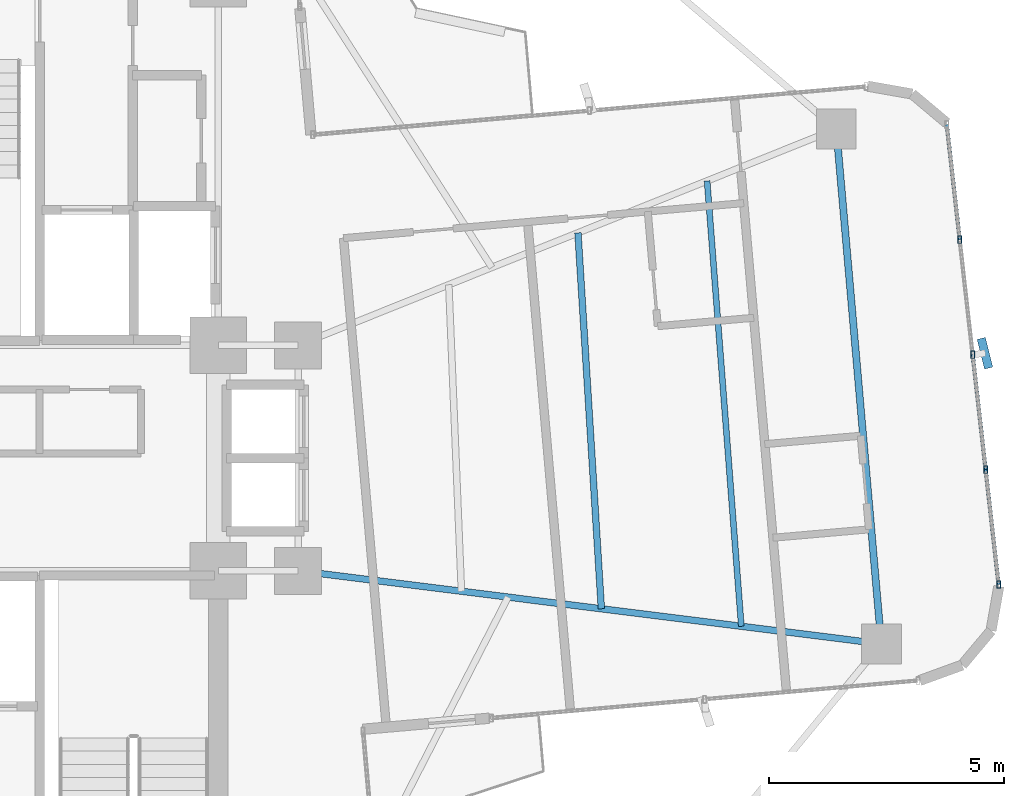
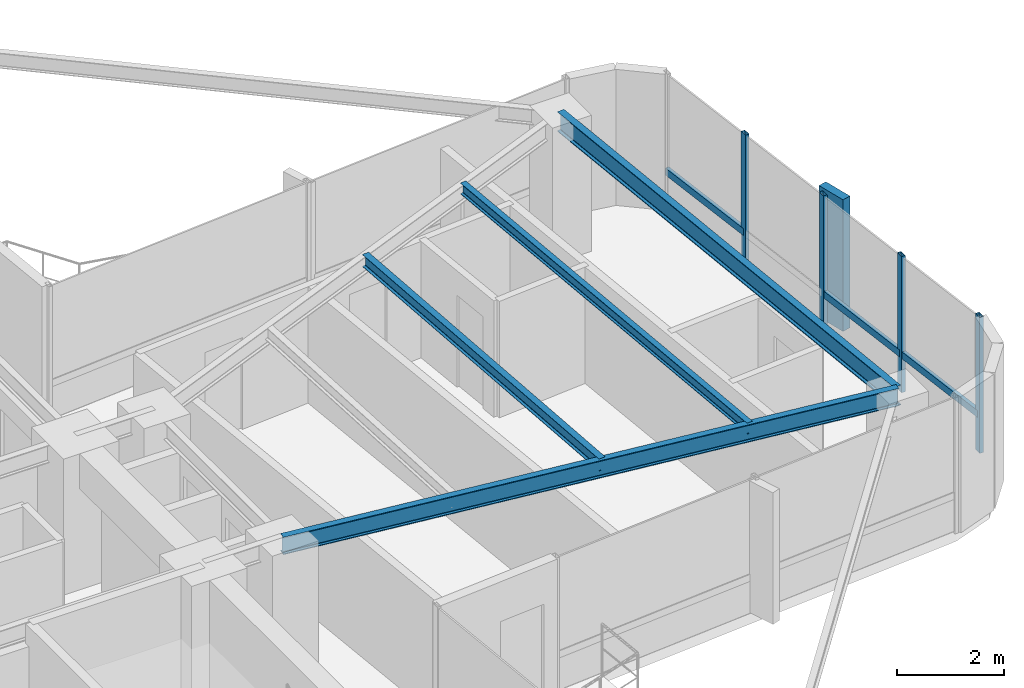
# One storey, part 14 of 24: 8 members, 4 beams, 1 element without a shape of its own.
"""IFC4 building model written with IfcOpenShell, lengths in metres."""

import ifcopenshell
import ifcopenshell.guid

model = None  # the IFC model being written
_history = None  # IfcOwnerHistory: only IFC2X3 demands one
_inside = {}  # id of a spatial element -> (the spatial element, [elements in it])
_under = {}  # id of a project, library or spatial element -> (it, [spatial elements below it])
_declared = {}  # id of a project -> (the project, [libraries it declares])
_typed = {}  # id of a type object -> (the type object, [elements of that type])
_made_of = {}  # id of a material, layer set ... -> (it, [elements and type objects made of it])


def new_model(schema):
    """Start an empty IFC model of exactly this schema.

    Asked for "IFC4X3", IfcOpenShell would pick the latest addendum, in which some entities
    have other attributes; the version numbers below select the first issue.
    IFC2X3 requires an IfcOwnerHistory on every rooted entity: one is made here for all.
    """
    global model, _history
    if schema == "IFC4X3":
        model = ifcopenshell.file(schema_version=(4, 3, 0, 0))
    else:
        model = ifcopenshell.file(schema=schema)
    _inside.clear()
    _under.clear()
    _declared.clear()
    _typed.clear()
    _made_of.clear()
    _history = None
    if model.schema == "IFC2X3":
        org = make("IfcOrganization", Name="unknown")
        user = make(
            "IfcPersonAndOrganization",
            ThePerson=make("IfcPerson", FamilyName="unknown"),
            TheOrganization=org,
        )
        app = make(
            "IfcApplication",
            ApplicationDeveloper=org,
            Version="unknown",
            ApplicationFullName="unknown",
            ApplicationIdentifier="unknown",
        )
        _history = make(
            "IfcOwnerHistory",
            OwningUser=user,
            OwningApplication=app,
            ChangeAction="ADDED",
            CreationDate=0,
        )
    return model


def make(cls, **values):
    """One entity of the class cls with the attributes given. An attribute that is None is left unset."""
    return model.create_entity(
        cls, **{name: value for name, value in values.items() if value is not None}
    )


def rooted(cls, **values):
    """An entity with a GlobalId (a new one), such as an element, a storey or a relation."""
    return make(cls, GlobalId=ifcopenshell.guid.new(), OwnerHistory=_history, **values)


def si_unit(unit_type, name, prefix=None):
    """IfcSIUnit, for example si_unit("LENGTHUNIT", "METRE", prefix="MILLI")."""
    return make("IfcSIUnit", UnitType=unit_type, Prefix=prefix, Name=name)


def assignment(units):
    """IfcUnitAssignment: the units of a project."""
    return None if units is None else make("IfcUnitAssignment", Units=units)


def point(xyz):
    """IfcCartesianPoint."""
    return None if xyz is None else make("IfcCartesianPoint", Coordinates=xyz)


def direction(xyz):
    """IfcDirection."""
    return None if xyz is None else make("IfcDirection", DirectionRatios=xyz)


def frame(location, z_axis=None, x_axis=None):
    """IfcAxis2Placement3D, a coordinate frame: its origin and axes. An axis left out is left unset."""
    return make(
        "IfcAxis2Placement3D",
        Location=point(location),
        Axis=direction(z_axis),
        RefDirection=direction(x_axis),
    )


def frame_2d(location, x_axis=None):
    """IfcAxis2Placement2D, a coordinate frame in the plane: its origin and x axis."""
    return make(
        "IfcAxis2Placement2D", Location=point(location), RefDirection=direction(x_axis)
    )


def origin():
    """The frame at (0, 0, 0) with its axes left unset."""
    return frame((0.0, 0.0, 0.0))


def origin_2d():
    """The frame at (0, 0) in the plane with its x axis left unset."""
    return frame_2d((0.0, 0.0))


def place(relative_to, where):
    """IfcLocalPlacement: puts the frame where relative to a parent placement (None: the world)."""
    return make(
        "IfcLocalPlacement", PlacementRelTo=relative_to, RelativePlacement=where
    )


def context(
    kind, dimensions, precision=None, world=None, true_north=None, identifier=None
):
    """IfcGeometricRepresentationContext, for example the 3D "Model" context."""
    return make(
        "IfcGeometricRepresentationContext",
        ContextIdentifier=identifier,
        ContextType=kind,
        CoordinateSpaceDimension=dimensions,
        Precision=precision,
        WorldCoordinateSystem=world,
        TrueNorth=true_north,
    )


def subcontext(parent, identifier, kind, view, scale=None):
    """IfcGeometricRepresentationSubContext, for example "Body" below "Model"."""
    return make(
        "IfcGeometricRepresentationSubContext",
        ContextIdentifier=identifier,
        ContextType=kind,
        ParentContext=parent,
        TargetScale=scale,
        TargetView=view,
    )


def project(units=None, contexts=None):
    """IfcProject with its units and contexts."""
    return rooted(
        "IfcProject",
        Name="project",
        RepresentationContexts=contexts,
        UnitsInContext=assignment(units),
    )


def spatial(cls, under=None, at=None, **own):
    """A site, building, storey or space (cls), placed at a placement, below another one or the project."""
    s = rooted(cls, ObjectPlacement=at, **own)
    if under is not None:
        _under.setdefault(under.id(), (under, []))[1].append(s)
    return s


def profile(cls, at=None, kind="AREA", **sizes):
    """A parametric profile (cls). Its sizes go by their IFC names, for example OverallWidth=200.0."""
    return make(cls, ProfileType=kind, Position=at, **sizes)


def rectangle(**sizes):
    """IfcRectangleProfileDef."""
    return profile("IfcRectangleProfileDef", **sizes)


def hollow_rectangle(**sizes):
    """IfcRectangleHollowProfileDef."""
    return profile("IfcRectangleHollowProfileDef", **sizes)


def i_section(**sizes):
    """IfcIShapeProfileDef."""
    return profile("IfcIShapeProfileDef", **sizes)


def extrude(swept, where, along, depth):
    """IfcExtrudedAreaSolid: the profile swept, set in the frame where, extruded along a direction by depth."""
    return make(
        "IfcExtrudedAreaSolid",
        SweptArea=swept,
        Position=where,
        ExtrudedDirection=direction(along),
        Depth=depth,
    )


def shape(context_of_items, identifier, shape_type, items):
    """IfcShapeRepresentation: the items that make up one representation, for example the "Body"."""
    return make(
        "IfcShapeRepresentation",
        ContextOfItems=context_of_items,
        RepresentationIdentifier=identifier,
        RepresentationType=shape_type,
        Items=items,
    )


def source(mapping_origin, context_of_items, identifier, shape_type, items):
    """IfcRepresentationMap: a shape defined once, which mapped items show again and again."""
    return make(
        "IfcRepresentationMap",
        MappingOrigin=mapping_origin,
        MappedRepresentation=shape(context_of_items, identifier, shape_type, items),
    )


def transform(
    local_origin,
    x_axis=None,
    y_axis=None,
    z_axis=None,
    scale=None,
    scale2=None,
    scale3=None,
    uniform=True,
):
    """IfcCartesianTransformationOperator3D, or its non-uniform kind. x_axis, y_axis, z_axis: its Axis1, 2, 3."""
    if uniform:
        return make(
            "IfcCartesianTransformationOperator3D",
            Axis1=direction(x_axis),
            Axis2=direction(y_axis),
            LocalOrigin=point(local_origin),
            Scale=scale,
            Axis3=direction(z_axis),
        )
    return make(
        "IfcCartesianTransformationOperator3DnonUniform",
        Axis1=direction(x_axis),
        Axis2=direction(y_axis),
        LocalOrigin=point(local_origin),
        Scale=scale,
        Axis3=direction(z_axis),
        Scale2=scale2,
        Scale3=scale3,
    )


def mapped(mapping_source, mapping_target):
    """IfcMappedItem: shows the shape of a source again, moved by a transform."""
    return make(
        "IfcMappedItem", MappingSource=mapping_source, MappingTarget=mapping_target
    )


def material(Name=None, Category=None):
    """IfcMaterial."""
    return make("IfcMaterial", Name=Name, Category=Category)


def material_profile(
    of_material, cross_section, Name=None, Category=None, Priority=None
):
    """IfcMaterialProfile: a cross section and its material."""
    return make(
        "IfcMaterialProfile",
        Name=Name,
        Material=of_material,
        Profile=cross_section,
        Priority=Priority,
        Category=Category,
    )


def profile_set(profiles, Name=None, composite=None):
    """IfcMaterialProfileSet."""
    return make(
        "IfcMaterialProfileSet",
        Name=Name,
        MaterialProfiles=profiles,
        CompositeProfile=composite,
    )


def made_of(thing, what):
    """Note that an element or type object is made of a material, layer set ...; save() writes the relation."""
    if what is not None:
        _made_of.setdefault(what.id(), (what, []))[1].append(thing)
    return thing


def type_object(cls, material=None, **own):
    """A type object (cls), such as IfcWallType, which elements share."""
    return made_of(rooted(cls, **own), material)


def element(
    cls,
    number,
    at=None,
    inside=None,
    cuts=None,
    type_object=None,
    material=None,
    context=None,
    identifier="Body",
    shape_type=None,
    held_by="IfcProductDefinitionShape",
    body=None,
    shapes=None,
    **own,
):
    """One element of the class cls, such as IfcWall. Its Tag is "e" and its number.

    at: its placement. inside: the storey or other place that contains it. cuts: it is an
    opening in that element (IfcRelVoidsElement). A single representation is given by context,
    identifier, shape_type and body (its items); several are given by shapes. held_by: the class
    of the entity that holds the representations. save() writes the other relations.
    """
    e = rooted(cls, Tag="e%d" % number, ObjectPlacement=at, **own)
    if body is not None:
        shapes = [shape(context, identifier, shape_type, body)]
    if shapes is not None:
        e.Representation = make(held_by, Representations=shapes)
    if inside is not None:
        _inside.setdefault(inside.id(), (inside, []))[1].append(e)
    if cuts is not None:
        rooted(
            "IfcRelVoidsElement", RelatingBuildingElement=cuts, RelatedOpeningElement=e
        )
    if type_object is not None:
        _typed.setdefault(type_object.id(), (type_object, []))[1].append(e)
    return made_of(e, material)


def aggregate(whole, parts):
    """IfcRelAggregates: a whole, such as a stair, and the parts it consists of."""
    return rooted("IfcRelAggregates", RelatingObject=whole, RelatedObjects=parts)


def save(model, path):
    """Write the relations noted so far, then the file.

    IfcRelAggregates (storeys below a building ...), IfcRelContainedInSpatialStructure (elements
    in a storey), IfcRelDefinesByType, IfcRelAssociatesMaterial and IfcRelDeclares: one each for
    every whole, place, type object, material and project.
    """
    for whole, parts in _under.values():
        aggregate(whole, parts)
    for where, things in _inside.values():
        rooted(
            "IfcRelContainedInSpatialStructure",
            RelatedElements=things,
            RelatingStructure=where,
        )
    for kind, things in _typed.values():
        rooted("IfcRelDefinesByType", RelatedObjects=things, RelatingType=kind)
    for what, things in _made_of.values():
        rooted("IfcRelAssociatesMaterial", RelatedObjects=things, RelatingMaterial=what)
    for by, libraries in _declared.values():
        rooted("IfcRelDeclares", RelatingContext=by, RelatedDefinitions=libraries)
    model.write(path)


model = new_model("IFC4")

# Units and contexts
model_context = context("Model", 3, precision=1e-05, world=origin(), true_north=direction((0.0, 1.0)))
body_context = subcontext(model_context, "Body", "Model", "MODEL_VIEW")
ifc_project = project(units=[si_unit("LENGTHUNIT", "METRE"), si_unit("AREAUNIT", "SQUARE_METRE"), si_unit("VOLUMEUNIT", "CUBIC_METRE"), si_unit("PLANEANGLEUNIT", "RADIAN"), si_unit("MASSUNIT", "GRAM", prefix="KILO")], contexts=[model_context])

# Site, building, storey
site_placement = place(None, origin())
site = spatial("IfcSite", under=ifc_project, at=site_placement, CompositionType="ELEMENT")
building_placement = place(site_placement, origin())
building = spatial("IfcBuilding", under=site, at=building_placement, Name="Sahyath Konkavel Grand Hotel", CompositionType="ELEMENT")
storey_placement = place(building_placement, frame((0.0, 0.0, 175.199951171875)))
storey = spatial("IfcBuildingStorey", under=building, at=storey_placement, Name="L48", CompositionType="ELEMENT", Elevation=175.199951171875)

# Beams
ifc_material_1 = material(Name="Steel E350", Category="steel")
ifc_material_profile_1 = material_profile(ifc_material_1, i_section(OverallWidth=0.139892578125, OverallDepth=0.39990234375, WebThickness=0.0087890625, FlangeThickness=0.01611328125, FilletRadius=0.013916015625, at=origin_2d()), Name="ISMB 400")
ifc_profile_set_1 = profile_set([ifc_material_profile_1], Name="Steel E350")
beam_type_1 = type_object("IfcBeamType", Name="BM-ISMB400", PredefinedType="BEAM", material=ifc_profile_set_1)
shared_shape_1 = source(origin(), body_context, "Body", "SweptSolid", [
    extrude(i_section(OverallWidth=0.139892578125, OverallDepth=0.39990234375, WebThickness=0.0087890625, FlangeThickness=0.01611328125, FilletRadius=0.013916015625, at=origin_2d()), origin(), (0.0, 0.0, 1.0), 12.509765625),
])
beam_1_placement = place(storey_placement, frame((5.5, -2.39990234375, 2.91015625), z_axis=(0.992254740459, -0.124219684578, 0.0), x_axis=(0.124219684578, 0.992254740459, 0.0)))
element("IfcBeam", 1, at=beam_1_placement, inside=storey, type_object=beam_type_1, Name="L48 Cruciform Radial Girder EA", PredefinedType="BEAM", context=body_context, shape_type="MappedRepresentation", body=[
    mapped(shared_shape_1, transform((0.0, 0.0, 0.0), scale=1.0)),
])
ifc_material_profile_2 = material_profile(ifc_material_1, i_section(OverallWidth=0.14990234375, OverallDepth=0.449951171875, WebThickness=0.009521484375, FlangeThickness=0.017333984375, FilletRadius=0.014892578125, at=origin_2d()), Name="ISMB 450")
ifc_profile_set_2 = profile_set([ifc_material_profile_2], Name="Steel E350")
beam_type_2 = type_object("IfcBeamType", Name="BM-ISMB450", PredefinedType="BEAM", material=ifc_profile_set_2)
shared_shape_2 = source(origin(), body_context, "Body", "SweptSolid", [
    extrude(i_section(OverallWidth=0.14990234375, OverallDepth=0.449951171875, WebThickness=0.009521484375, FlangeThickness=0.017333984375, FilletRadius=0.014892578125, at=origin_2d()), origin(), (0.0, 0.0, 1.0), 11.0),
])
beam_2_placement = place(storey_placement, frame((17.912841796875, -3.953857421875, 2.885009765625), z_axis=(-0.087157314015, 0.996194560622, 0.0), x_axis=(-0.996194560622, -0.087157314015, 0.0)))
element("IfcBeam", 2, at=beam_2_placement, inside=storey, type_object=beam_type_2, Name="L48 Wing Tip Edge Beam E", PredefinedType="BEAM", context=body_context, shape_type="MappedRepresentation", body=[
    mapped(shared_shape_2, transform((0.0, 0.0, 0.0), scale=1.0)),
])
ifc_material_profile_3 = material_profile(ifc_material_1, i_section(OverallWidth=0.139892578125, OverallDepth=0.27490234375, WebThickness=0.00634765625, FlangeThickness=0.0087890625, FilletRadius=0.012939453125, at=origin_2d()), Name="ISLB 275")
ifc_profile_set_3 = profile_set([ifc_material_profile_3], Name="Steel E350")
beam_type_3 = type_object("IfcBeamType", Name="BM-ISLB275", PredefinedType="BEAM", material=ifc_profile_set_3)
shared_shape_3 = source(origin(), body_context, "Body", "SweptSolid", [
    extrude(i_section(OverallWidth=0.139892578125, OverallDepth=0.27490234375, WebThickness=0.00634765625, FlangeThickness=0.0087890625, FilletRadius=0.012939453125, at=origin_2d()), origin(), (0.0, 0.0, 1.0), 8.017822265625),
])
beam_3_placement = place(storey_placement, frame((11.95458984375, -3.2080078125, 2.97265625), z_axis=(-0.062179233264, 0.998064999362, 0.0), x_axis=(-0.998064999362, -0.062179233264, 0.0)))
element("IfcBeam", 3, at=beam_3_placement, inside=storey, type_object=beam_type_3, Name="L48 Secondary Floor Beam E-2", PredefinedType="BEAM", context=body_context, shape_type="MappedRepresentation", body=[
    mapped(shared_shape_3, transform((0.0, 0.0, 0.0), scale=1.0)),
])
ifc_material_profile_4 = material_profile(ifc_material_1, i_section(OverallWidth=0.125, OverallDepth=0.25, WebThickness=0.0068359375, FlangeThickness=0.012451171875, FilletRadius=0.012939453125, at=origin_2d()), Name="ISMB 250")
ifc_profile_set_4 = profile_set([ifc_material_profile_4], Name="Steel E350")
beam_type_4 = type_object("IfcBeamType", Name="BM-ISMB250", PredefinedType="BEAM", material=ifc_profile_set_4)
shared_shape_4 = source(origin(), body_context, "Body", "SweptSolid", [
    extrude(i_section(OverallWidth=0.125, OverallDepth=0.25, WebThickness=0.0068359375, FlangeThickness=0.012451171875, FilletRadius=0.012939453125, at=origin_2d()), origin(), (0.0, 0.0, 1.0), 9.508056640625),
])
beam_4_placement = place(storey_placement, frame((14.93359375, -3.580810546875, 2.985107421875), z_axis=(-0.076619921029, 0.997060373148, 0.0), x_axis=(-0.997060373148, -0.076619921029, 0.0)))
element("IfcBeam", 4, at=beam_4_placement, inside=storey, type_object=beam_type_4, Name="L48 Secondary Floor Beam E-3", PredefinedType="BEAM", context=body_context, shape_type="MappedRepresentation", body=[
    mapped(shared_shape_4, transform((0.0, 0.0, 0.0), scale=1.0)),
])

# Curtain wall, members
ifc_material_2 = material(Name="Anodised Bronze Aluminium & Low-E Glazing", Category="aluminium")
curtain_wall_type = type_object("IfcCurtainWallType", Name="CW-ZONE3", PredefinedType="NOTDEFINED", material=ifc_material_2)
curtain_wall_placement = place(storey_placement, origin())
curtain_wall = element("IfcCurtainWall", 5, at=curtain_wall_placement, inside=storey, type_object=curtain_wall_type, Name="L48 Unitised Curtain Wall F4", PredefinedType="NOTDEFINED")
ifc_material_3 = material(Name="Warm Buff Sandstone Cladding on Concrete C50/60", Category="masonry")
ifc_material_profile_5 = material_profile(ifc_material_3, rectangle(XDim=0.179931640625, YDim=0.64990234375, at=origin_2d()), Name="FIN 180x650")
ifc_profile_set_5 = profile_set([ifc_material_profile_5], Name="Warm Buff Sandstone Cladding on Concrete C50/60")
member_type_1 = type_object("IfcMemberType", Name="FIN-SANDSTONE-650", PredefinedType="MULLION", material=ifc_profile_set_5)
shared_shape_5 = source(origin(), body_context, "Body", "SweptSolid", [
    extrude(rectangle(XDim=0.179931640625, YDim=0.64990234375, at=origin_2d()), origin(), (0.0, 0.0, 1.0), 3.010009765625),
])
member_1_placement = place(storey_placement, frame((20.1181640625, 2.23095703125, 0.050048828125), z_axis=(0.0, 0.0, 1.0), x_axis=(0.970084240161, 0.242768546132, 0.0)))
member_1 = element("IfcMember", 6, at=member_1_placement, type_object=member_type_1, Name="L48 Sandstone Vertical Solar Fin FIN F4-2", PredefinedType="MULLION", context=body_context, shape_type="MappedRepresentation", body=[
    mapped(shared_shape_5, transform((0.0, 0.0, 0.0), scale=1.0)),
])
ifc_material_4 = material(Name="Anodised Bronze Aluminium", Category="aluminium")
ifc_material_profile_6 = material_profile(ifc_material_4, hollow_rectangle(XDim=0.080078125, YDim=0.159912109375, WallThickness=0.006103515625, at=origin_2d()), Name="RHS 160x80x6")
ifc_profile_set_6 = profile_set([ifc_material_profile_6], Name="Anodised Bronze Aluminium")
member_type_2 = type_object("IfcMemberType", Name="CW-MUL-160", PredefinedType="MULLION", material=ifc_profile_set_6)
shared_shape_6 = source(origin(), body_context, "Body", "SweptSolid", [
    extrude(hollow_rectangle(XDim=0.080078125, YDim=0.159912109375, WallThickness=0.006103515625, at=origin_2d()), origin(), (0.0, 0.0, 1.0), 3.110107421875),
])
member_2_placement = place(storey_placement, frame((20.4111328125, -2.69140625, 0.0), z_axis=(0.0, 0.0, 1.0), x_axis=(1.0, 0.0, 0.0)))
member_2 = element("IfcMember", 7, at=member_2_placement, type_object=member_type_2, Name="L48 Curtain Wall Mullion F4-0", PredefinedType="MULLION", context=body_context, shape_type="MappedRepresentation", body=[
    mapped(shared_shape_6, transform((0.0, 0.0, 0.0), scale=1.0)),
])
member_3_placement = place(storey_placement, frame((20.135498046875, -0.24462890625, 0.0), z_axis=(0.0, 0.0, 1.0), x_axis=(1.0, 0.0, 0.0)))
member_3 = element("IfcMember", 8, at=member_3_placement, type_object=member_type_2, Name="L48 Curtain Wall Mullion F4-1", PredefinedType="MULLION", context=body_context, shape_type="MappedRepresentation", body=[
    mapped(shared_shape_6, transform((0.0, 0.0, 0.0), scale=1.0)),
])
member_4_placement = place(storey_placement, frame((19.859619140625, 2.201904296875, 0.0), z_axis=(0.0, 0.0, 1.0), x_axis=(1.0, 0.0, 0.0)))
member_4 = element("IfcMember", 9, at=member_4_placement, type_object=member_type_2, Name="L48 Curtain Wall Mullion F4-2", PredefinedType="MULLION", context=body_context, shape_type="MappedRepresentation", body=[
    mapped(shared_shape_6, transform((0.0, 0.0, 0.0), scale=1.0)),
])
member_5_placement = place(storey_placement, frame((19.583984375, 4.648193359375, 0.0), z_axis=(0.0, 0.0, 1.0), x_axis=(1.0, 0.0, 0.0)))
member_5 = element("IfcMember", 10, at=member_5_placement, type_object=member_type_2, Name="L48 Curtain Wall Mullion F4-3", PredefinedType="MULLION", context=body_context, shape_type="MappedRepresentation", body=[
    mapped(shared_shape_6, transform((0.0, 0.0, 0.0), scale=1.0)),
])
ifc_material_profile_7 = material_profile(ifc_material_4, hollow_rectangle(XDim=0.080078125, YDim=0.159912109375, WallThickness=0.006103515625, at=origin_2d()), Name="RHS 160x80x6")
ifc_profile_set_7 = profile_set([ifc_material_profile_7], Name="Anodised Bronze Aluminium")
member_type_3 = type_object("IfcMemberType", Name="CW-TRN-160", PredefinedType="USERDEFINED", material=ifc_profile_set_7)
shared_shape_7 = source(origin(), body_context, "Body", "SweptSolid", [
    extrude(hollow_rectangle(XDim=0.080078125, YDim=0.159912109375, WallThickness=0.006103515625, at=origin_2d()), origin(), (0.0, 0.0, 1.0), 2.462158203125),
])
member_6_placement = place(storey_placement, frame((20.4111328125, -2.69140625, 0.85009765625), z_axis=(-0.11194409079, 0.993714506555, 0.0), x_axis=(-0.993714506555, -0.11194409079, 0.0)))
member_6 = element("IfcMember", 11, at=member_6_placement, type_object=member_type_3, Name="L48 Curtain Wall Transom F4-0-spandrel", ObjectType="TRANSOM", PredefinedType="USERDEFINED", context=body_context, shape_type="MappedRepresentation", body=[
    mapped(shared_shape_7, transform((0.0, 0.0, 0.0), scale=1.0)),
])
member_7_placement = place(storey_placement, frame((20.135498046875, -0.24462890625, 0.85009765625), z_axis=(-0.112053040279, 0.99370222711, 0.0), x_axis=(-0.99370222711, -0.112053040279, 0.0)))
member_7 = element("IfcMember", 12, at=member_7_placement, type_object=member_type_3, Name="L48 Curtain Wall Transom F4-1-spandrel", ObjectType="TRANSOM", PredefinedType="USERDEFINED", context=body_context, shape_type="MappedRepresentation", body=[
    mapped(shared_shape_7, transform((0.0, 0.0, 0.0), scale=1.0)),
])
member_8_placement = place(storey_placement, frame((19.583984375, 4.648193359375, 0.85009765625), z_axis=(-0.11194409079, 0.993714506555, 0.0), x_axis=(-0.993714506555, -0.11194409079, 0.0)))
member_8 = element("IfcMember", 13, at=member_8_placement, type_object=member_type_3, Name="L48 Curtain Wall Transom F4-3-spandrel", ObjectType="TRANSOM", PredefinedType="USERDEFINED", context=body_context, shape_type="MappedRepresentation", body=[
    mapped(shared_shape_7, transform((0.0, 0.0, 0.0), scale=1.0)),
])
aggregate(curtain_wall, [member_2, member_3, member_4, member_1, member_5, member_6, member_7, member_8])

save(model, "model.ifc")
